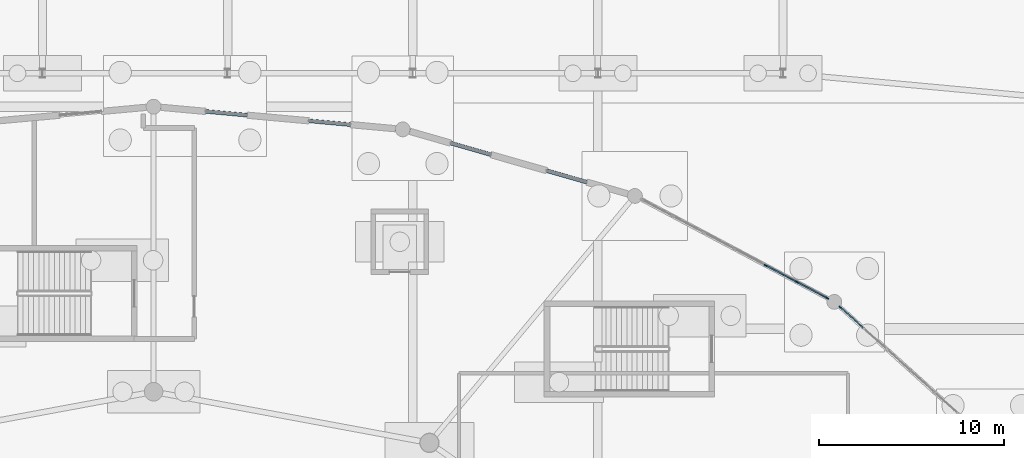
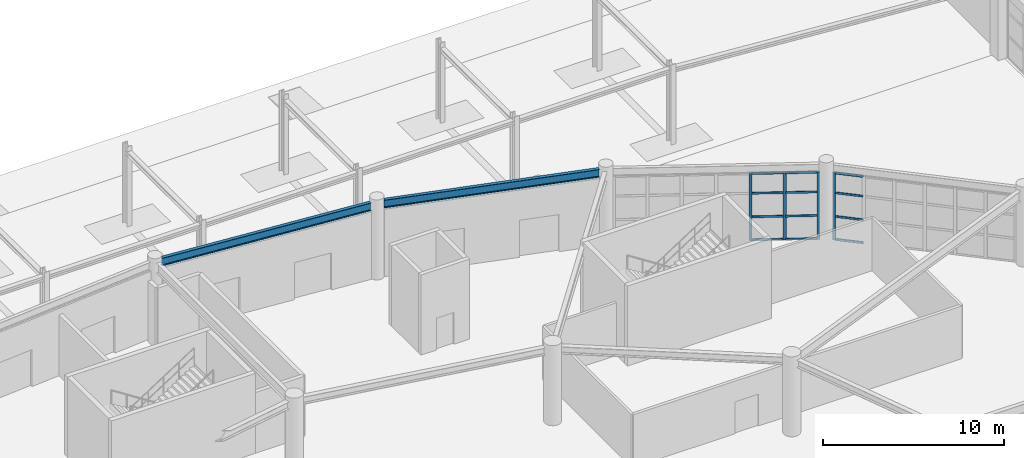
# One storey, part 47 of 99: 16 members, 2 beams, 2 elements without a shape of their own.
"""IFC4 building model written with IfcOpenShell, lengths in metres."""

from ifc_helpers import new_model, si_unit, direction, frame, origin, origin_2d, place, context, subcontext, project, spatial, rectangle, i_section, extrude, material, layer, layer_set, material_profile, profile_set, type_object, element, aggregate, save


model = new_model("IFC4")

# Units and contexts
model_context = context("Model", 3, precision=1e-05, world=origin(), true_north=direction((0.0, 1.0)))
body_context = subcontext(model_context, "Body", "Model", "MODEL_VIEW")
ifc_project = project(units=[si_unit("LENGTHUNIT", "METRE"), si_unit("AREAUNIT", "SQUARE_METRE"), si_unit("VOLUMEUNIT", "CUBIC_METRE"), si_unit("PLANEANGLEUNIT", "RADIAN"), si_unit("MASSUNIT", "GRAM", prefix="KILO")], contexts=[model_context])

# Site, building, storey
site_placement = place(None, origin())
site = spatial("IfcSite", under=ifc_project, at=site_placement, CompositionType="ELEMENT")
building_placement = place(site_placement, origin())
building = spatial("IfcBuilding", under=site, at=building_placement, Name="Kivolera Central Railway Station", CompositionType="ELEMENT")
storey_placement = place(building_placement, origin())
storey = spatial("IfcBuildingStorey", under=building, at=storey_placement, Name="L00", CompositionType="ELEMENT", Elevation=0.0)

# Beams
ifc_material_1 = material(Name="Steel S355", Category="steel")
ifc_material_profile_1 = material_profile(ifc_material_1, i_section(OverallWidth=0.209228515625, OverallDepth=0.533203125, WebThickness=0.010009765625, FlangeThickness=0.015625, FilletRadius=0.0126953125, at=origin_2d()), Name="UB 533x210x92")
ifc_profile_set_1 = profile_set([ifc_material_profile_1], Name="Steel S355")
beam_type = type_object("IfcBeamType", Name="BM-SHD-UB533", PredefinedType="BEAM", material=ifc_profile_set_1)
beam_1_placement = place(storey_placement, frame((89.625, 121.283935546875, 4.841064453125), z_axis=(-0.961238780007, 0.275717260631, 0.0), x_axis=(-0.275717260631, -0.961238780007, 0.0)))
element("IfcBeam", 1, at=beam_1_placement, inside=storey, type_object=beam_type, Name="L00 Oval Perimeter Ring Beam 05", PredefinedType="BEAM", context=body_context, shape_type="SweptSolid", body=[
    extrude(i_section(OverallWidth=0.209228515625, OverallDepth=0.533203125, WebThickness=0.010009765625, FlangeThickness=0.015625, FilletRadius=0.0126953125, at=origin_2d()), origin(), (0.0, 0.0, 1.0), 12.266357421875),
])
beam_2_placement = place(storey_placement, frame((77.071044921875, 124.80810546875, 4.841064453125), z_axis=(-0.9958650324, 0.090845127787, 0.0), x_axis=(-0.090845127787, -0.9958650324, 0.0)))
element("IfcBeam", 2, at=beam_2_placement, inside=storey, type_object=beam_type, Name="L00 Oval Perimeter Ring Beam 06", PredefinedType="BEAM", context=body_context, shape_type="SweptSolid", body=[
    extrude(i_section(OverallWidth=0.209228515625, OverallDepth=0.533203125, WebThickness=0.010009765625, FlangeThickness=0.015625, FilletRadius=0.0126953125, at=origin_2d()), origin(), (0.0, 0.0, 1.0), 12.73583984375),
])

# Curtain wall, member
ifc_material_2 = material(Name="Anodised aluminium", Category="aluminium")
ifc_layer_1 = layer(ifc_material_2, 0.179931640625, Name="Anodised aluminium")
ifc_layer_set_1 = layer_set([ifc_layer_1], Name="Anodised aluminium")
curtain_wall_type_1 = type_object("IfcCurtainWallType", Name="CW-SYS-04", PredefinedType="NOTDEFINED", material=ifc_layer_set_1)
curtain_wall_1_placement = place(storey_placement, origin())
curtain_wall_1 = element("IfcCurtainWall", 3, at=curtain_wall_1_placement, inside=storey, type_object=curtain_wall_type_1, Name="L00 Curtain Wall CW-L00-OVL-02", PredefinedType="NOTDEFINED")
ifc_material_profile_2 = material_profile(ifc_material_2, rectangle(XDim=0.070068359375, YDim=0.179931640625, at=origin_2d()), Name="ALU MULL 70x180")
ifc_profile_set_2 = profile_set([ifc_material_profile_2], Name="Anodised aluminium")
member_type_1 = type_object("IfcMemberType", Name="CWM-MUL-1", PredefinedType="MULLION", material=ifc_profile_set_2)
member_1_placement = place(storey_placement, frame((101.093017578125, 115.16455078125, -0.0048828125), z_axis=(0.0, 0.0, 1.0), x_axis=(0.66992157428, 0.742431871833, 0.0)))
member_1 = element("IfcMember", 4, at=member_1_placement, type_object=member_type_1, Name="CW-04 mullion 1", PredefinedType="MULLION", context=body_context, shape_type="SweptSolid", body=[
    extrude(rectangle(XDim=0.070068359375, YDim=0.179931640625, at=origin_2d()), origin(), (0.0, 0.0, 1.0), 4.554931640625),
])

# Curtain wall, members
ifc_layer_2 = layer(ifc_material_2, 0.179931640625, Name="Anodised aluminium")
ifc_layer_set_2 = layer_set([ifc_layer_2], Name="Anodised aluminium")
curtain_wall_type_2 = type_object("IfcCurtainWallType", Name="CW-SYS-07", PredefinedType="NOTDEFINED", material=ifc_layer_set_2)
curtain_wall_2_placement = place(storey_placement, origin())
curtain_wall_2 = element("IfcCurtainWall", 5, at=curtain_wall_2_placement, inside=storey, type_object=curtain_wall_type_2, Name="L00 Curtain Wall CW-L00-OVL-03", PredefinedType="NOTDEFINED")
member_2_placement = place(storey_placement, frame((97.062255859375, 117.42578125, -0.0048828125), z_axis=(0.0, 0.0, 1.0), x_axis=(0.469052563023, 0.883170251493, 0.0)))
member_2 = element("IfcMember", 6, at=member_2_placement, type_object=member_type_1, Name="CW-07 mullion 5", PredefinedType="MULLION", context=body_context, shape_type="SweptSolid", body=[
    extrude(rectangle(XDim=0.070068359375, YDim=0.179931640625, at=origin_2d()), origin(), (0.0, 0.0, 1.0), 4.554931640625),
])
member_3_placement = place(storey_placement, frame((98.73974609375, 116.534912109375, -0.0048828125), z_axis=(0.0, 0.0, 1.0), x_axis=(0.469052563023, 0.883170251493, 0.0)))
member_3 = element("IfcMember", 7, at=member_3_placement, type_object=member_type_1, Name="CW-07 mullion 6", PredefinedType="MULLION", context=body_context, shape_type="SweptSolid", body=[
    extrude(rectangle(XDim=0.070068359375, YDim=0.179931640625, at=origin_2d()), origin(), (0.0, 0.0, 1.0), 4.554931640625),
])
member_4_placement = place(storey_placement, frame((100.385986328125, 115.660400390625, -0.0048828125), z_axis=(0.0, 0.0, 1.0), x_axis=(0.469052563023, 0.883170251493, 0.0)))
member_4 = element("IfcMember", 8, at=member_4_placement, type_object=member_type_1, Name="CW-07 mullion 7", PredefinedType="MULLION", context=body_context, shape_type="SweptSolid", body=[
    extrude(rectangle(XDim=0.070068359375, YDim=0.179931640625, at=origin_2d()), origin(), (0.0, 0.0, 1.0), 4.554931640625),
])

# Member
ifc_material_profile_3 = material_profile(ifc_material_2, rectangle(XDim=0.070068359375, YDim=0.139892578125, at=origin_2d()), Name="ALU TRAN 70x140")
ifc_profile_set_3 = profile_set([ifc_material_profile_3], Name="Anodised aluminium")
member_type_2 = type_object("IfcMemberType", Name="CWM-TRN-1", PredefinedType="USERDEFINED", material=ifc_profile_set_3)
member_5_placement = place(storey_placement, frame((101.118896484375, 115.14111328125, 0.034912109375), z_axis=(0.742422429893, -0.66993203804, 0.0), x_axis=(0.66993203804, 0.742422429893, 0.0)))
member_5 = element("IfcMember", 9, at=member_5_placement, type_object=member_type_2, Name="CW-04 transom 1.1", ObjectType="TRANSOM", PredefinedType="USERDEFINED", context=body_context, shape_type="SweptSolid", body=[
    extrude(rectangle(XDim=0.070068359375, YDim=0.139892578125, at=origin_2d()), origin(), (0.0, 0.0, 1.0), 1.61669921875),
])

member_6_placement = place(storey_placement, frame((101.118896484375, 115.14111328125, 1.592529296875), z_axis=(0.742422429893, -0.66993203804, 0.0), x_axis=(0.66993203804, 0.742422429893, 0.0)))
member_6 = element("IfcMember", 10, at=member_6_placement, type_object=member_type_2, Name="CW-04 transom 1.2", ObjectType="TRANSOM", PredefinedType="USERDEFINED", context=body_context, shape_type="SweptSolid", body=[
    extrude(rectangle(XDim=0.070068359375, YDim=0.139892578125, at=origin_2d()), origin(), (0.0, 0.0, 1.0), 1.61669921875),
])

member_7_placement = place(storey_placement, frame((101.118896484375, 115.14111328125, 3.18505859375), z_axis=(0.742422429893, -0.66993203804, 0.0), x_axis=(0.66993203804, 0.742422429893, 0.0)))
member_7 = element("IfcMember", 11, at=member_7_placement, type_object=member_type_2, Name="CW-04 transom 1.3", ObjectType="TRANSOM", PredefinedType="USERDEFINED", context=body_context, shape_type="SweptSolid", body=[
    extrude(rectangle(XDim=0.070068359375, YDim=0.139892578125, at=origin_2d()), origin(), (0.0, 0.0, 1.0), 1.61669921875),
])

member_8_placement = place(storey_placement, frame((101.118896484375, 115.14111328125, 4.514892578125), z_axis=(0.742422429893, -0.66993203804, 0.0), x_axis=(0.66993203804, 0.742422429893, 0.0)))
member_8 = element("IfcMember", 12, at=member_8_placement, type_object=member_type_2, Name="CW-04 transom 1.4", ObjectType="TRANSOM", PredefinedType="USERDEFINED", context=body_context, shape_type="SweptSolid", body=[
    extrude(rectangle(XDim=0.070068359375, YDim=0.139892578125, at=origin_2d()), origin(), (0.0, 0.0, 1.0), 1.61669921875),
])

aggregate(curtain_wall_1, [member_1, member_5, member_6, member_7, member_8])

member_9_placement = place(storey_placement, frame((97.09326171875, 117.4091796875, 0.034912109375), z_axis=(0.88318656257, -0.469021849913, 0.0), x_axis=(0.469021849913, 0.88318656257, 0.0)))
member_9 = element("IfcMember", 13, at=member_9_placement, type_object=member_type_2, Name="CW-07 transom 5.1", ObjectType="TRANSOM", PredefinedType="USERDEFINED", context=body_context, shape_type="SweptSolid", body=[
    extrude(rectangle(XDim=0.070068359375, YDim=0.139892578125, at=origin_2d()), origin(), (0.0, 0.0, 1.0), 1.8291015625),
])

member_10_placement = place(storey_placement, frame((97.09326171875, 117.4091796875, 1.592529296875), z_axis=(0.88318656257, -0.469021849913, 0.0), x_axis=(0.469021849913, 0.88318656257, 0.0)))
member_10 = element("IfcMember", 14, at=member_10_placement, type_object=member_type_2, Name="CW-07 transom 5.2", ObjectType="TRANSOM", PredefinedType="USERDEFINED", context=body_context, shape_type="SweptSolid", body=[
    extrude(rectangle(XDim=0.070068359375, YDim=0.139892578125, at=origin_2d()), origin(), (0.0, 0.0, 1.0), 1.8291015625),
])

member_11_placement = place(storey_placement, frame((97.09326171875, 117.4091796875, 3.18505859375), z_axis=(0.88318656257, -0.469021849913, 0.0), x_axis=(0.469021849913, 0.88318656257, 0.0)))
member_11 = element("IfcMember", 15, at=member_11_placement, type_object=member_type_2, Name="CW-07 transom 5.3", ObjectType="TRANSOM", PredefinedType="USERDEFINED", context=body_context, shape_type="SweptSolid", body=[
    extrude(rectangle(XDim=0.070068359375, YDim=0.139892578125, at=origin_2d()), origin(), (0.0, 0.0, 1.0), 1.8291015625),
])

member_12_placement = place(storey_placement, frame((97.09326171875, 117.4091796875, 4.514892578125), z_axis=(0.88318656257, -0.469021849913, 0.0), x_axis=(0.469021849913, 0.88318656257, 0.0)))
member_12 = element("IfcMember", 16, at=member_12_placement, type_object=member_type_2, Name="CW-07 transom 5.4", ObjectType="TRANSOM", PredefinedType="USERDEFINED", context=body_context, shape_type="SweptSolid", body=[
    extrude(rectangle(XDim=0.070068359375, YDim=0.139892578125, at=origin_2d()), origin(), (0.0, 0.0, 1.0), 1.8291015625),
])

member_13_placement = place(storey_placement, frame((98.7705078125, 116.518310546875, 0.034912109375), z_axis=(0.883191460259, -0.469012627255, 0.0), x_axis=(0.469012627255, 0.883191460259, 0.0)))
member_13 = element("IfcMember", 17, at=member_13_placement, type_object=member_type_2, Name="CW-07 transom 6.1", ObjectType="TRANSOM", PredefinedType="USERDEFINED", context=body_context, shape_type="SweptSolid", body=[
    extrude(rectangle(XDim=0.070068359375, YDim=0.139892578125, at=origin_2d()), origin(), (0.0, 0.0, 1.0), 1.794189453125),
])

member_14_placement = place(storey_placement, frame((98.7705078125, 116.518310546875, 1.592529296875), z_axis=(0.883191460259, -0.469012627255, 0.0), x_axis=(0.469012627255, 0.883191460259, 0.0)))
member_14 = element("IfcMember", 18, at=member_14_placement, type_object=member_type_2, Name="CW-07 transom 6.2", ObjectType="TRANSOM", PredefinedType="USERDEFINED", context=body_context, shape_type="SweptSolid", body=[
    extrude(rectangle(XDim=0.070068359375, YDim=0.139892578125, at=origin_2d()), origin(), (0.0, 0.0, 1.0), 1.794189453125),
])

member_15_placement = place(storey_placement, frame((98.7705078125, 116.518310546875, 3.18505859375), z_axis=(0.883191460259, -0.469012627255, 0.0), x_axis=(0.469012627255, 0.883191460259, 0.0)))
member_15 = element("IfcMember", 19, at=member_15_placement, type_object=member_type_2, Name="CW-07 transom 6.3", ObjectType="TRANSOM", PredefinedType="USERDEFINED", context=body_context, shape_type="SweptSolid", body=[
    extrude(rectangle(XDim=0.070068359375, YDim=0.139892578125, at=origin_2d()), origin(), (0.0, 0.0, 1.0), 1.794189453125),
])

member_16_placement = place(storey_placement, frame((98.7705078125, 116.518310546875, 4.514892578125), z_axis=(0.883191460259, -0.469012627255, 0.0), x_axis=(0.469012627255, 0.883191460259, 0.0)))
member_16 = element("IfcMember", 20, at=member_16_placement, type_object=member_type_2, Name="CW-07 transom 6.4", ObjectType="TRANSOM", PredefinedType="USERDEFINED", context=body_context, shape_type="SweptSolid", body=[
    extrude(rectangle(XDim=0.070068359375, YDim=0.139892578125, at=origin_2d()), origin(), (0.0, 0.0, 1.0), 1.794189453125),
])

aggregate(curtain_wall_2, [member_2, member_3, member_4, member_9, member_10, member_11, member_12, member_13, member_14, member_15, member_16])

save(model, "model.ifc")
